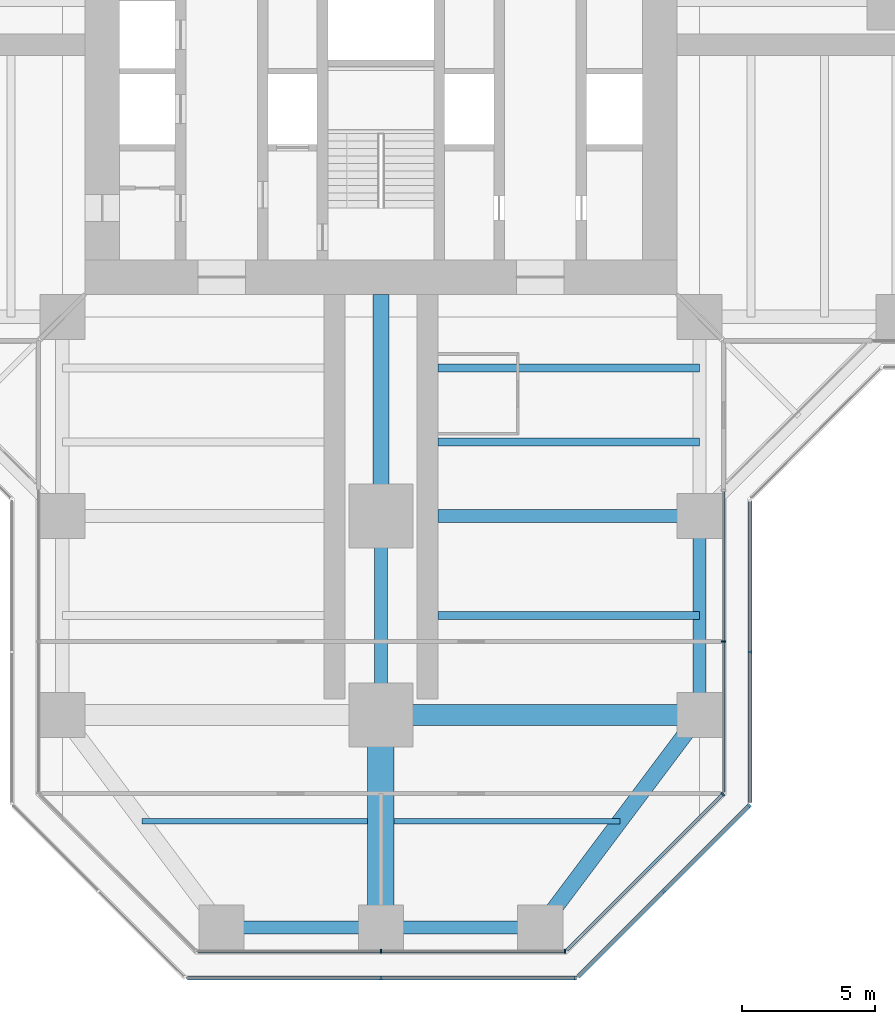
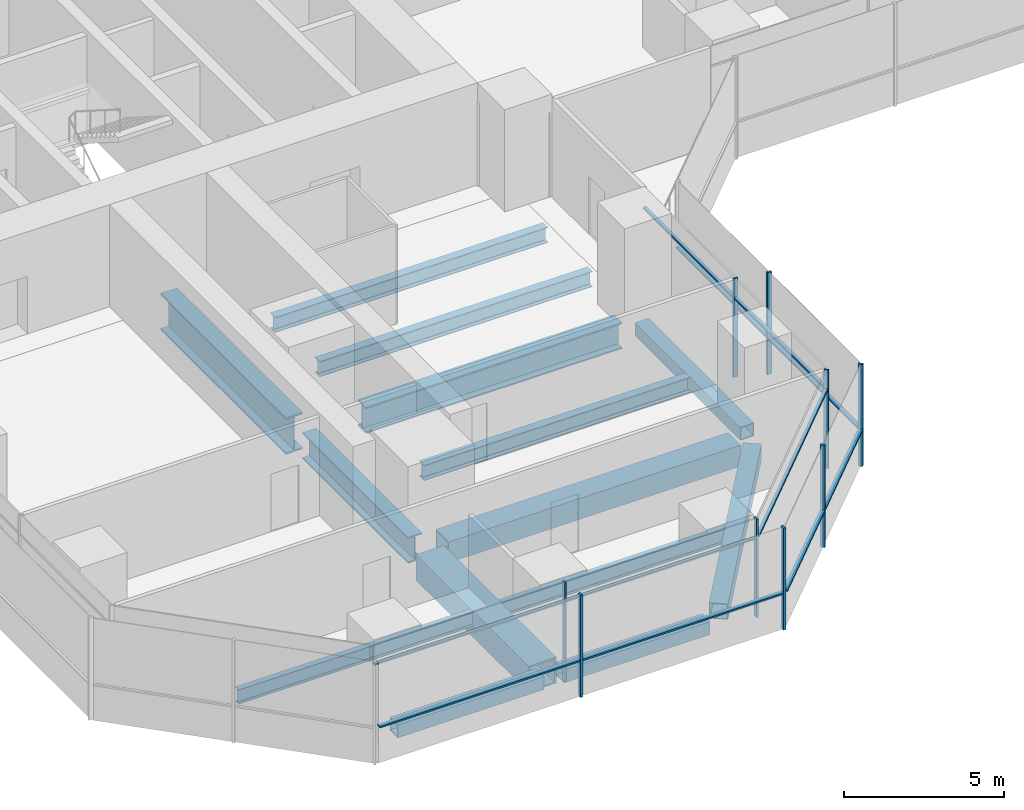
# One storey, part 5 of 22: 20 members, 14 beams, 6 elements without a shape of their own.
"""IFC4 building model written with IfcOpenShell, lengths in metres."""

from ifc_helpers import new_model, si_unit, direction, frame, origin, origin_2d, place, context, subcontext, project, spatial, rectangle, hollow_rectangle, i_section, extrude, material, material_profile, profile_set, type_object, element, aggregate, save


model = new_model("IFC4")

# Units and contexts
model_context = context("Model", 3, precision=1e-05, world=origin(), true_north=direction((0.0, 1.0)))
body_context = subcontext(model_context, "Body", "Model", "MODEL_VIEW")
ifc_project = project(units=[si_unit("LENGTHUNIT", "METRE"), si_unit("AREAUNIT", "SQUARE_METRE"), si_unit("VOLUMEUNIT", "CUBIC_METRE"), si_unit("PLANEANGLEUNIT", "RADIAN"), si_unit("MASSUNIT", "GRAM", prefix="KILO")], contexts=[model_context])

# Site, building, storey
site_placement = place(None, origin())
site = spatial("IfcSite", under=ifc_project, at=site_placement, CompositionType="ELEMENT")
building_placement = place(site_placement, origin())
building = spatial("IfcBuilding", under=site, at=building_placement, Name="Mizan Broadcast Tower", CompositionType="ELEMENT")
storey_placement = place(building_placement, frame((0.0, 0.0, 82.5)))
storey = spatial("IfcBuildingStorey", under=building, at=storey_placement, Name="L17", CompositionType="ELEMENT", Elevation=82.5)

# Beams
ifc_material_1 = material(Name="Steel S355", Category="steel")
ifc_material_profile_1 = material_profile(ifc_material_1, hollow_rectangle(XDim=0.5, YDim=0.5, WallThickness=0.030029296875, at=origin_2d()), Name="BOX 500x500x30")
ifc_profile_set_1 = profile_set([ifc_material_profile_1], Name="Steel S355")
beam_type_1 = type_object("IfcBeamType", Name="EDGE BEAM BOX 500x500x30", PredefinedType="SPANDREL", material=ifc_profile_set_1)
beam_1_placement = place(storey_placement, frame((-5.639892578125, -35.0, -0.3798828125), z_axis=(1.0, 0.0, 0.0), x_axis=(0.0, 1.0, 0.0)))
element("IfcBeam", 1, at=beam_1_placement, inside=storey, type_object=beam_type_1, Name="Edge beam BOX 500x500x30 L17 south arm", PredefinedType="SPANDREL", context=body_context, shape_type="SweptSolid", body=[
    extrude(hollow_rectangle(XDim=0.5, YDim=0.5, WallThickness=0.030029296875, at=origin_2d()), origin(), (0.0, 0.0, 1.0), 5.27978515625),
])
beam_2_placement = place(storey_placement, frame((12.0, -19.949951171875, -0.3798828125), z_axis=(0.0, -1.0, 0.0), x_axis=(1.0, 0.0, 0.0)))
element("IfcBeam", 2, at=beam_2_placement, inside=storey, type_object=beam_type_1, Name="Edge beam BOX 500x500x30 L17 south arm", PredefinedType="SPANDREL", context=body_context, shape_type="SweptSolid", body=[
    extrude(hollow_rectangle(XDim=0.5, YDim=0.5, WallThickness=0.030029296875, at=origin_2d()), origin(), (0.0, 0.0, 1.0), 6.60009765625),
])
beam_3_placement = place(storey_placement, frame((5.639892578125, -35.0, -0.3798828125), z_axis=(-1.0, 0.0, 0.0), x_axis=(0.0, -1.0, 0.0)))
element("IfcBeam", 3, at=beam_3_placement, inside=storey, type_object=beam_type_1, Name="Edge beam BOX 500x500x30 L17 south arm", PredefinedType="SPANDREL", context=body_context, shape_type="SweptSolid", body=[
    extrude(hollow_rectangle(XDim=0.5, YDim=0.5, WallThickness=0.030029296875, at=origin_2d()), origin(), (0.0, 0.0, 1.0), 5.27978515625),
])
ifc_material_2 = material(Name="Steel S355", Category="steel")
ifc_material_profile_2 = material_profile(ifc_material_2, hollow_rectangle(XDim=0.60009765625, YDim=0.60009765625, WallThickness=0.030029296875, at=origin_2d()), Name="BOX 600x600x30")
ifc_profile_set_2 = profile_set([ifc_material_profile_2], Name="Steel S355")
beam_type_2 = type_object("IfcBeamType", Name="EDGE BEAM BOX 600x600x30", PredefinedType="SPANDREL", material=ifc_profile_set_2)
beam_4_placement = place(storey_placement, frame((11.639892578125, -27.47998046875, -0.429931640625), z_axis=(-0.599982243973, -0.800013316712, 0.0), x_axis=(0.800013316712, -0.599982243973, 0.0)))
element("IfcBeam", 4, at=beam_4_placement, inside=storey, type_object=beam_type_2, Name="Edge beam BOX 600x600x30 L17 south arm", PredefinedType="SPANDREL", context=body_context, shape_type="SweptSolid", body=[
    extrude(hollow_rectangle(XDim=0.60009765625, YDim=0.60009765625, WallThickness=0.030029296875, at=origin_2d()), origin(), (0.0, 0.0, 1.0), 8.7998046875),
])
ifc_material_3 = material(Name="Steel S460", Category="steel")
ifc_material_profile_3 = material_profile(ifc_material_3, hollow_rectangle(XDim=1.0, YDim=1.0, WallThickness=0.06005859375, at=origin_2d()), Name="BOX 1000x1000x60")
ifc_profile_set_3 = profile_set([ifc_material_profile_3], Name="Steel S460")
beam_type_3 = type_object("IfcBeamType", Name="GIRDER BOX 1000x1000x60", PredefinedType="BEAM", material=ifc_profile_set_3)
beam_5_placement = place(storey_placement, frame((0.0, -27.47998046875, -0.6298828125), z_axis=(0.0, -1.0, 0.0), x_axis=(1.0, 0.0, 0.0)))
element("IfcBeam", 5, at=beam_5_placement, inside=storey, type_object=beam_type_3, Name="Girder BOX 1000x1000x60 L17 south arm", PredefinedType="BEAM", context=body_context, shape_type="SweptSolid", body=[
    extrude(hollow_rectangle(XDim=1.0, YDim=1.0, WallThickness=0.06005859375, at=origin_2d()), origin(), (0.0, 0.0, 1.0), 7.0400390625),
])
ifc_material_4 = material(Name="Steel S460", Category="steel")
ifc_material_profile_4 = material_profile(ifc_material_4, hollow_rectangle(XDim=0.800048828125, YDim=0.800048828125, WallThickness=0.050048828125, at=origin_2d()), Name="BOX 800x800x50")
ifc_profile_set_4 = profile_set([ifc_material_profile_4], Name="Steel S460")
beam_type_4 = type_object("IfcBeamType", Name="GIRDER BOX 800x800x50", PredefinedType="BEAM", material=ifc_profile_set_4)
beam_6_placement = place(storey_placement, frame((11.280029296875, -27.0, -0.530029296875), z_axis=(-1.0, 0.0, 0.0), x_axis=(0.0, -1.0, 0.0)))
element("IfcBeam", 6, at=beam_6_placement, inside=storey, type_object=beam_type_4, Name="Girder BOX 800x800x50 L17 south arm", PredefinedType="BEAM", context=body_context, shape_type="SweptSolid", body=[
    extrude(hollow_rectangle(XDim=0.800048828125, YDim=0.800048828125, WallThickness=0.050048828125, at=origin_2d()), origin(), (0.0, 0.0, 1.0), 10.56005859375),
])
ifc_material_5 = material(Name="Steel S460", Category="steel")
ifc_material_profile_5 = material_profile(ifc_material_5, i_section(OverallWidth=0.5, OverallDepth=1.0, WebThickness=0.02490234375, FlangeThickness=0.050048828125, at=origin_2d()), Name="WPG 1000x500")
ifc_profile_set_5 = profile_set([ifc_material_profile_5], Name="Steel S460")
beam_type_5 = type_object("IfcBeamType", Name="GIRDER WPG 1000x500", PredefinedType="BEAM", material=ifc_profile_set_5)
beam_7_placement = place(storey_placement, frame((0.0, -19.949951171875, -0.6298828125), z_axis=(0.0, -1.0, 0.0), x_axis=(1.0, 0.0, 0.0)))
element("IfcBeam", 7, at=beam_7_placement, inside=storey, type_object=beam_type_5, Name="Girder WPG 1000x500 L17 south arm", PredefinedType="BEAM", context=body_context, shape_type="SweptSolid", body=[
    extrude(i_section(OverallWidth=0.5, OverallDepth=1.0, WebThickness=0.02490234375, FlangeThickness=0.050048828125, at=origin_2d()), origin(), (0.0, 0.0, 1.0), 6.60009765625),
])
beam_8_placement = place(storey_placement, frame((11.408935546875, -19.5, -0.6298828125), z_axis=(-1.0, 0.0, 0.0), x_axis=(0.0, -1.0, 0.0)))
element("IfcBeam", 8, at=beam_8_placement, inside=storey, type_object=beam_type_5, Name="Girder WPG 1000x500 L17 south arm", PredefinedType="BEAM", context=body_context, shape_type="SweptSolid", body=[
    extrude(i_section(OverallWidth=0.5, OverallDepth=1.0, WebThickness=0.02490234375, FlangeThickness=0.050048828125, at=origin_2d()), origin(), (0.0, 0.0, 1.0), 9.259033203125),
])
ifc_material_6 = material(Name="Steel S460", Category="steel")
ifc_material_profile_6 = material_profile(ifc_material_6, i_section(OverallWidth=0.60009765625, OverallDepth=1.39990234375, WebThickness=0.02490234375, FlangeThickness=0.06005859375, at=origin_2d()), Name="WPG 1400x600")
ifc_profile_set_6 = profile_set([ifc_material_profile_6], Name="Steel S460")
beam_type_6 = type_object("IfcBeamType", Name="GIRDER WPG 1400x600", PredefinedType="BEAM", material=ifc_profile_set_6)
beam_9_placement = place(storey_placement, frame((0.0, -11.14990234375, -0.830078125), z_axis=(0.0, -1.0, 0.0), x_axis=(1.0, 0.0, 0.0)))
element("IfcBeam", 9, at=beam_9_placement, inside=storey, type_object=beam_type_6, Name="Girder WPG 1400x600 L17 south arm", PredefinedType="BEAM", context=body_context, shape_type="SweptSolid", body=[
    extrude(i_section(OverallWidth=0.60009765625, OverallDepth=1.39990234375, WebThickness=0.02490234375, FlangeThickness=0.06005859375, at=origin_2d()), origin(), (0.0, 0.0, 1.0), 7.84912109375),
])

# Curtain wall, members
ifc_material_7 = material(Name="Aluminium framed glazing", Category="aluminium")
curtain_wall_type_1 = type_object("IfcCurtainWallType", Name="INNER SKIN LOW ZONE", PredefinedType="USERDEFINED", material=ifc_material_7)
curtain_wall_1_placement = place(storey_placement, origin())
curtain_wall_1 = element("IfcCurtainWall", 10, at=curtain_wall_1_placement, inside=storey, type_object=curtain_wall_type_1, Name="Inner skin low zone L17 S end", ObjectType="INNER SKIN LOW ZONE", PredefinedType="USERDEFINED")
ifc_material_8 = material(Name="Aluminium, pale anodised", Category="aluminium")
ifc_material_profile_7 = material_profile(ifc_material_8, rectangle(XDim=0.159912109375, YDim=0.06005859375, at=origin_2d()), Name="MULLION 160x60")
ifc_profile_set_7 = profile_set([ifc_material_profile_7], Name="Aluminium, pale anodised")
member_type_1 = type_object("IfcMemberType", Name="INNER SKIN MULLION 60x160", PredefinedType="MULLION", material=ifc_profile_set_7)
member_1_placement = place(storey_placement, frame((0.0, -35.89990234375, 0.0), z_axis=(0.0, 0.0, 1.0), x_axis=(0.0, 1.0, 0.0)))
member_1 = element("IfcMember", 11, at=member_1_placement, type_object=member_type_1, Name="Inner skin low zone L17 S end mullion 2", PredefinedType="MULLION", context=body_context, shape_type="SweptSolid", body=[
    extrude(rectangle(XDim=0.159912109375, YDim=0.06005859375, at=origin_2d()), origin(), (0.0, 0.0, 1.0), 3.77001953125),
])
member_2_placement = place(storey_placement, frame((6.928466796875, -35.89990234375, 0.0), z_axis=(0.0, 0.0, 1.0), x_axis=(0.0, 1.0, 0.0)))
member_2 = element("IfcMember", 12, at=member_2_placement, type_object=member_type_1, Name="Inner skin low zone L17 S end mullion 3", PredefinedType="MULLION", context=body_context, shape_type="SweptSolid", body=[
    extrude(rectangle(XDim=0.159912109375, YDim=0.06005859375, at=origin_2d()), origin(), (0.0, 0.0, 1.0), 3.77001953125),
])

# Curtain wall, member
curtain_wall_2_placement = place(storey_placement, origin())
curtain_wall_2 = element("IfcCurtainWall", 13, at=curtain_wall_2_placement, inside=storey, type_object=curtain_wall_type_1, Name="Inner skin low zone L17 S chamfer", ObjectType="INNER SKIN LOW ZONE", PredefinedType="USERDEFINED")
member_3_placement = place(storey_placement, frame((12.87890625, -29.979736328125, 0.0), z_axis=(0.0, 0.0, 1.0), x_axis=(-0.707106781187, 0.707106781187, 0.0)))
member_3 = element("IfcMember", 14, at=member_3_placement, type_object=member_type_1, Name="Inner skin low zone L17 S chamfer mullion 2", PredefinedType="MULLION", context=body_context, shape_type="SweptSolid", body=[
    extrude(rectangle(XDim=0.159912109375, YDim=0.06005859375, at=origin_2d()), origin(), (0.0, 0.0, 1.0), 3.77001953125),
])

curtain_wall_3_placement = place(storey_placement, origin())
curtain_wall_3 = element("IfcCurtainWall", 15, at=curtain_wall_3_placement, inside=storey, type_object=curtain_wall_type_1, Name="Inner skin low zone L17 S side", ObjectType="INNER SKIN LOW ZONE", PredefinedType="USERDEFINED")
member_4_placement = place(storey_placement, frame((12.89990234375, -24.229248046875, 0.0), z_axis=(0.0, 0.0, 1.0), x_axis=(-1.0, 0.0, 0.0)))
member_4 = element("IfcMember", 16, at=member_4_placement, type_object=member_type_1, Name="Inner skin low zone L17 S side mullion 2", PredefinedType="MULLION", context=body_context, shape_type="SweptSolid", body=[
    extrude(rectangle(XDim=0.159912109375, YDim=0.06005859375, at=origin_2d()), origin(), (0.0, 0.0, 1.0), 3.77001953125),
])

# Member
ifc_material_9 = material(Name="Aluminium, pale anodised", Category="aluminium")
ifc_material_profile_8 = material_profile(ifc_material_9, rectangle(XDim=0.1201171875, YDim=0.06005859375, at=origin_2d()), Name="TRANSOM 120x60")
ifc_profile_set_8 = profile_set([ifc_material_profile_8], Name="Aluminium, pale anodised")
member_type_2 = type_object("IfcMemberType", Name="INNER SKIN TRANSOM 60x120", PredefinedType="USERDEFINED", material=ifc_profile_set_8)
member_5_placement = place(storey_placement, frame((-6.898681640625, -35.89990234375, 3.030029296875), z_axis=(1.0, 0.0, 0.0), x_axis=(0.0, 1.0, 0.0)))
member_5 = element("IfcMember", 17, at=member_5_placement, type_object=member_type_2, Name="Inner skin low zone L17 S end transom 1.1", ObjectType="TRANSOM", PredefinedType="USERDEFINED", context=body_context, shape_type="SweptSolid", body=[
    extrude(rectangle(XDim=0.1201171875, YDim=0.06005859375, at=origin_2d()), origin(), (0.0, 0.0, 1.0), 6.86865234375),
])

member_6_placement = place(storey_placement, frame((0.030029296875, -35.89990234375, 3.030029296875), z_axis=(1.0, 0.0, 0.0), x_axis=(0.0, 1.0, 0.0)))
member_6 = element("IfcMember", 18, at=member_6_placement, type_object=member_type_2, Name="Inner skin low zone L17 S end transom 2.1", ObjectType="TRANSOM", PredefinedType="USERDEFINED", context=body_context, shape_type="SweptSolid", body=[
    extrude(rectangle(XDim=0.1201171875, YDim=0.06005859375, at=origin_2d()), origin(), (0.0, 0.0, 1.0), 6.86865234375),
])

aggregate(curtain_wall_1, [member_1, member_2, member_5, member_6])

member_7_placement = place(storey_placement, frame((7.0009765625, -35.857666015625, 3.030029296875), z_axis=(0.707106781187, 0.707106781187, 0.0), x_axis=(-0.707106781187, 0.707106781187, 0.0)))
member_7 = element("IfcMember", 19, at=member_7_placement, type_object=member_type_2, Name="Inner skin low zone L17 S chamfer transom 1.1", ObjectType="TRANSOM", PredefinedType="USERDEFINED", context=body_context, shape_type="SweptSolid", body=[
    extrude(rectangle(XDim=0.1201171875, YDim=0.06005859375, at=origin_2d()), origin(), (0.0, 0.0, 1.0), 8.28271484375),
])

aggregate(curtain_wall_2, [member_3, member_7])

member_8_placement = place(storey_placement, frame((12.89990234375, -29.898681640625, 3.030029296875), z_axis=(0.0, 1.0, 0.0), x_axis=(-1.0, 0.0, 0.0)))
member_8 = element("IfcMember", 20, at=member_8_placement, type_object=member_type_2, Name="Inner skin low zone L17 S side transom 1.1", ObjectType="TRANSOM", PredefinedType="USERDEFINED", context=body_context, shape_type="SweptSolid", body=[
    extrude(rectangle(XDim=0.1201171875, YDim=0.06005859375, at=origin_2d()), origin(), (0.0, 0.0, 1.0), 5.639404296875),
])

member_9_placement = place(storey_placement, frame((12.89990234375, -24.19921875, 3.030029296875), z_axis=(0.0, 1.0, 0.0), x_axis=(-1.0, 0.0, 0.0)))
member_9 = element("IfcMember", 21, at=member_9_placement, type_object=member_type_2, Name="Inner skin low zone L17 S side transom 2.1", ObjectType="TRANSOM", PredefinedType="USERDEFINED", context=body_context, shape_type="SweptSolid", body=[
    extrude(rectangle(XDim=0.1201171875, YDim=0.06005859375, at=origin_2d()), origin(), (0.0, 0.0, 1.0), 5.63916015625),
])

aggregate(curtain_wall_3, [member_4, member_8, member_9])

# Curtain wall, members
ifc_material_10 = material(Name="Aluminium framed glazing", Category="aluminium")
curtain_wall_type_2 = type_object("IfcCurtainWallType", Name="OUTER SKIN", PredefinedType="USERDEFINED", material=ifc_material_10)
curtain_wall_4_placement = place(storey_placement, origin())
curtain_wall_4 = element("IfcCurtainWall", 22, at=curtain_wall_4_placement, inside=storey, type_object=curtain_wall_type_2, Name="Outer skin L17 S end", ObjectType="OUTER SKIN", PredefinedType="USERDEFINED")
ifc_material_11 = material(Name="Aluminium, pale anodised", Category="aluminium")
ifc_material_profile_9 = material_profile(ifc_material_11, rectangle(XDim=0.159912109375, YDim=0.080078125, at=origin_2d()), Name="MULLION 160x80")
ifc_profile_set_9 = profile_set([ifc_material_profile_9], Name="Aluminium, pale anodised")
member_type_3 = type_object("IfcMemberType", Name="OUTER SKIN MULLION 80x160", PredefinedType="MULLION", material=ifc_profile_set_9)
member_10_placement = place(storey_placement, frame((0.0, -36.89990234375, 0.0), z_axis=(0.0, 0.0, 1.0), x_axis=(0.0, 1.0, 0.0)))
member_10 = element("IfcMember", 23, at=member_10_placement, type_object=member_type_3, Name="Outer skin L17 S end mullion 2", PredefinedType="MULLION", context=body_context, shape_type="SweptSolid", body=[
    extrude(rectangle(XDim=0.159912109375, YDim=0.080078125, at=origin_2d()), origin(), (0.0, 0.0, 1.0), 3.89990234375),
])
member_11_placement = place(storey_placement, frame((7.332763671875, -36.89990234375, 0.0), z_axis=(0.0, 0.0, 1.0), x_axis=(0.0, 1.0, 0.0)))
member_11 = element("IfcMember", 24, at=member_11_placement, type_object=member_type_3, Name="Outer skin L17 S end mullion 3", PredefinedType="MULLION", context=body_context, shape_type="SweptSolid", body=[
    extrude(rectangle(XDim=0.159912109375, YDim=0.080078125, at=origin_2d()), origin(), (0.0, 0.0, 1.0), 3.89990234375),
])

curtain_wall_5_placement = place(storey_placement, origin())
curtain_wall_5 = element("IfcCurtainWall", 25, at=curtain_wall_5_placement, inside=storey, type_object=curtain_wall_type_2, Name="Outer skin L17 S chamfer", ObjectType="OUTER SKIN", PredefinedType="USERDEFINED")
member_12_placement = place(storey_placement, frame((10.636474609375, -33.636474609375, 0.0), z_axis=(0.0, 0.0, 1.0), x_axis=(-0.707106781187, 0.707106781187, 0.0)))
member_12 = element("IfcMember", 26, at=member_12_placement, type_object=member_type_3, Name="Outer skin L17 S chamfer mullion 2", PredefinedType="MULLION", context=body_context, shape_type="SweptSolid", body=[
    extrude(rectangle(XDim=0.159912109375, YDim=0.080078125, at=origin_2d()), origin(), (0.0, 0.0, 1.0), 3.89990234375),
])
member_13_placement = place(storey_placement, frame((13.871826171875, -30.401123046875, 0.0), z_axis=(0.0, 0.0, 1.0), x_axis=(-0.707106781187, 0.707106781187, 0.0)))
member_13 = element("IfcMember", 27, at=member_13_placement, type_object=member_type_3, Name="Outer skin L17 S chamfer mullion 3", PredefinedType="MULLION", context=body_context, shape_type="SweptSolid", body=[
    extrude(rectangle(XDim=0.159912109375, YDim=0.080078125, at=origin_2d()), origin(), (0.0, 0.0, 1.0), 3.89990234375),
])

# Curtain wall, member
curtain_wall_6_placement = place(storey_placement, origin())
curtain_wall_6 = element("IfcCurtainWall", 28, at=curtain_wall_6_placement, inside=storey, type_object=curtain_wall_type_2, Name="Outer skin L17 S side", ObjectType="OUTER SKIN", PredefinedType="USERDEFINED")
member_14_placement = place(storey_placement, frame((13.89990234375, -24.622802734375, 0.0), z_axis=(0.0, 0.0, 1.0), x_axis=(-1.0, 0.0, 0.0)))
member_14 = element("IfcMember", 29, at=member_14_placement, type_object=member_type_3, Name="Outer skin L17 S side mullion 2", PredefinedType="MULLION", context=body_context, shape_type="SweptSolid", body=[
    extrude(rectangle(XDim=0.159912109375, YDim=0.080078125, at=origin_2d()), origin(), (0.0, 0.0, 1.0), 3.89990234375),
])

# Member
ifc_material_12 = material(Name="Aluminium, pale anodised", Category="aluminium")
ifc_material_profile_10 = material_profile(ifc_material_12, rectangle(XDim=0.159912109375, YDim=0.06005859375, at=origin_2d()), Name="TRANSOM 160x60")
ifc_profile_set_10 = profile_set([ifc_material_profile_10], Name="Aluminium, pale anodised")
member_type_4 = type_object("IfcMemberType", Name="OUTER SKIN TRANSOM 60x160", PredefinedType="USERDEFINED", material=ifc_profile_set_10)
member_15_placement = place(storey_placement, frame((-7.292724609375, -36.89990234375, 1.39990234375), z_axis=(1.0, 0.0, 0.0), x_axis=(0.0, 1.0, 0.0)))
member_15 = element("IfcMember", 30, at=member_15_placement, type_object=member_type_4, Name="Outer skin L17 S end transom 1.1", ObjectType="TRANSOM", PredefinedType="USERDEFINED", context=body_context, shape_type="SweptSolid", body=[
    extrude(rectangle(XDim=0.159912109375, YDim=0.06005859375, at=origin_2d()), origin(), (0.0, 0.0, 1.0), 7.252685546875),
])

member_16_placement = place(storey_placement, frame((0.0400390625, -36.89990234375, 1.39990234375), z_axis=(1.0, 0.0, 0.0), x_axis=(0.0, 1.0, 0.0)))
member_16 = element("IfcMember", 31, at=member_16_placement, type_object=member_type_4, Name="Outer skin L17 S end transom 2.1", ObjectType="TRANSOM", PredefinedType="USERDEFINED", context=body_context, shape_type="SweptSolid", body=[
    extrude(rectangle(XDim=0.159912109375, YDim=0.06005859375, at=origin_2d()), origin(), (0.0, 0.0, 1.0), 7.252685546875),
])

aggregate(curtain_wall_4, [member_10, member_11, member_15, member_16])

member_17_placement = place(storey_placement, frame((7.429443359375, -36.843505859375, 1.39990234375), z_axis=(0.707106781187, 0.707106781187, 0.0), x_axis=(-0.707106781187, 0.707106781187, 0.0)))
member_17 = element("IfcMember", 32, at=member_17_placement, type_object=member_type_4, Name="Outer skin L17 S chamfer transom 1.1", ObjectType="TRANSOM", PredefinedType="USERDEFINED", context=body_context, shape_type="SweptSolid", body=[
    extrude(rectangle(XDim=0.159912109375, YDim=0.06005859375, at=origin_2d()), origin(), (0.0, 0.0, 1.0), 4.495361328125),
])

member_18_placement = place(storey_placement, frame((10.664794921875, -33.608154296875, 1.39990234375), z_axis=(0.707106781187, 0.707106781187, 0.0), x_axis=(-0.707106781187, 0.707106781187, 0.0)))
member_18 = element("IfcMember", 33, at=member_18_placement, type_object=member_type_4, Name="Outer skin L17 S chamfer transom 2.1", ObjectType="TRANSOM", PredefinedType="USERDEFINED", context=body_context, shape_type="SweptSolid", body=[
    extrude(rectangle(XDim=0.159912109375, YDim=0.06005859375, at=origin_2d()), origin(), (0.0, 0.0, 1.0), 4.495361328125),
])

aggregate(curtain_wall_5, [member_12, member_13, member_17, member_18])

member_19_placement = place(storey_placement, frame((13.89990234375, -30.292724609375, 1.39990234375), z_axis=(0.0, 1.0, 0.0), x_axis=(-1.0, 0.0, 0.0)))
member_19 = element("IfcMember", 34, at=member_19_placement, type_object=member_type_4, Name="Outer skin L17 S side transom 1.1", ObjectType="TRANSOM", PredefinedType="USERDEFINED", context=body_context, shape_type="SweptSolid", body=[
    extrude(rectangle(XDim=0.159912109375, YDim=0.06005859375, at=origin_2d()), origin(), (0.0, 0.0, 1.0), 5.6298828125),
])

member_20_placement = place(storey_placement, frame((13.89990234375, -24.582763671875, 1.39990234375), z_axis=(0.0, 1.0, 0.0), x_axis=(-1.0, 0.0, 0.0)))
member_20 = element("IfcMember", 35, at=member_20_placement, type_object=member_type_4, Name="Outer skin L17 S side transom 2.1", ObjectType="TRANSOM", PredefinedType="USERDEFINED", context=body_context, shape_type="SweptSolid", body=[
    extrude(rectangle(XDim=0.159912109375, YDim=0.06005859375, at=origin_2d()), origin(), (0.0, 0.0, 1.0), 5.6298828125),
])

aggregate(curtain_wall_6, [member_14, member_19, member_20])

# Beams
ifc_material_13 = material(Name="Steel S355", Category="steel")
ifc_material_profile_11 = material_profile(ifc_material_13, i_section(OverallWidth=0.300048828125, OverallDepth=0.590087890625, WebThickness=0.012939453125, FlangeThickness=0.02490234375, FilletRadius=0.027099609375, at=origin_2d()), Name="HEA 600")
ifc_profile_set_11 = profile_set([ifc_material_profile_11], Name="Steel S355")
beam_type_7 = type_object("IfcBeamType", Name="SECONDARY BEAM HEA 600", PredefinedType="JOIST", material=ifc_profile_set_11)
for number, where, z_axis, x_axis, name in (
    (36, (12.0, -13.933349609375, -0.425048828125), (-1.0, 0.0, 0.0), (0.0, -1.0, 0.0), "Secondary beam HEA 600 L17 south arm"),
    (37, (12.0, -16.716552734375, -0.425048828125), (-1.0, 0.0, 0.0), (0.0, -1.0, 0.0), "Secondary beam HEA 600 L17 south arm"),
    (38, (12.0, -23.25, -0.425048828125), (-1.0, 0.0, 0.0), (0.0, -1.0, 0.0), "Secondary beam HEA 600 L17 south arm"),
):
    element("IfcBeam", number, at=place(storey_placement, frame(where, z_axis=z_axis, x_axis=x_axis)), inside=storey, type_object=beam_type_7, Name=name, PredefinedType="JOIST", context=body_context, shape_type="SweptSolid", body=[
        extrude(i_section(OverallWidth=0.300048828125, OverallDepth=0.590087890625, WebThickness=0.012939453125, FlangeThickness=0.02490234375, FilletRadius=0.027099609375, at=origin_2d()), origin(), (0.0, 0.0, 1.0), 9.85009765625),
    ])
ifc_material_14 = material(Name="Steel S355", Category="steel")
ifc_material_profile_12 = material_profile(ifc_material_14, i_section(OverallWidth=0.2099609375, OverallDepth=0.550048828125, WebThickness=0.010986328125, FlangeThickness=0.01708984375, FilletRadius=0.02392578125, at=origin_2d()), Name="IPE 550")
ifc_profile_set_12 = profile_set([ifc_material_profile_12], Name="Steel S355")
beam_type_8 = type_object("IfcBeamType", Name="SECONDARY BEAM IPE 550", PredefinedType="JOIST", material=ifc_profile_set_12)
for number, where, z_axis, x_axis, name in (
    (39, (-9.0, -31.0, -0.405029296875), (1.0, 0.0, 0.0), (0.0, 1.0, 0.0), "Secondary beam IPE 550 L17 south arm"),
    (40, (9.0, -31.0, -0.405029296875), (-1.0, 0.0, 0.0), (0.0, -1.0, 0.0), "Secondary beam IPE 550 L17 south arm"),
):
    element("IfcBeam", number, at=place(storey_placement, frame(where, z_axis=z_axis, x_axis=x_axis)), inside=storey, type_object=beam_type_8, Name=name, PredefinedType="JOIST", context=body_context, shape_type="SweptSolid", body=[
        extrude(i_section(OverallWidth=0.2099609375, OverallDepth=0.550048828125, WebThickness=0.010986328125, FlangeThickness=0.01708984375, FilletRadius=0.02392578125, at=origin_2d()), origin(), (0.0, 0.0, 1.0), 8.5),
    ])

save(model, "model.ifc")
